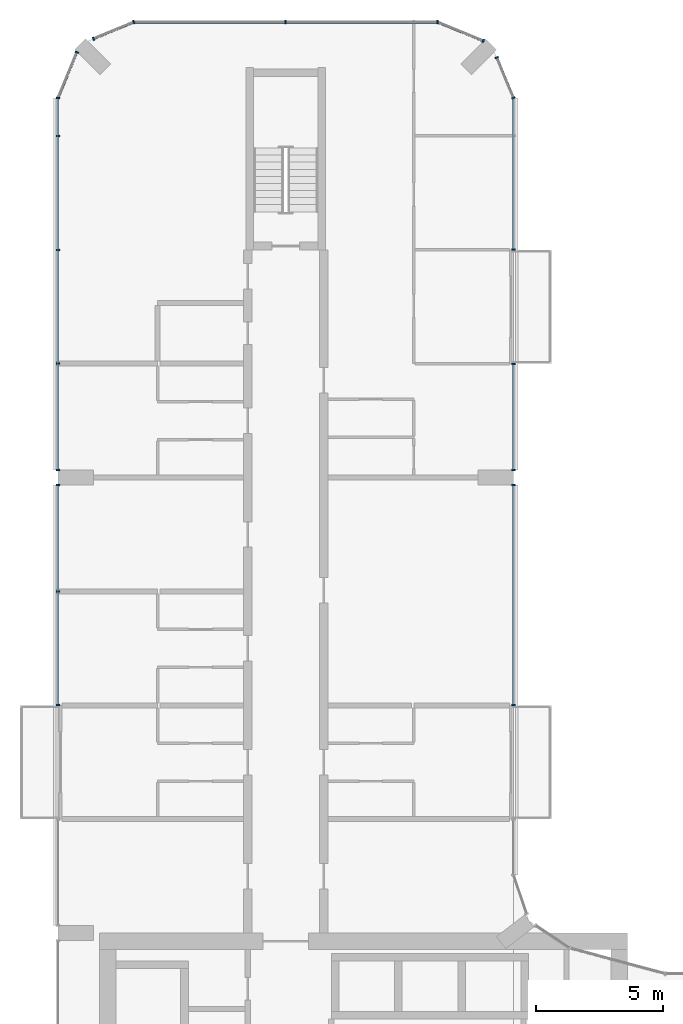
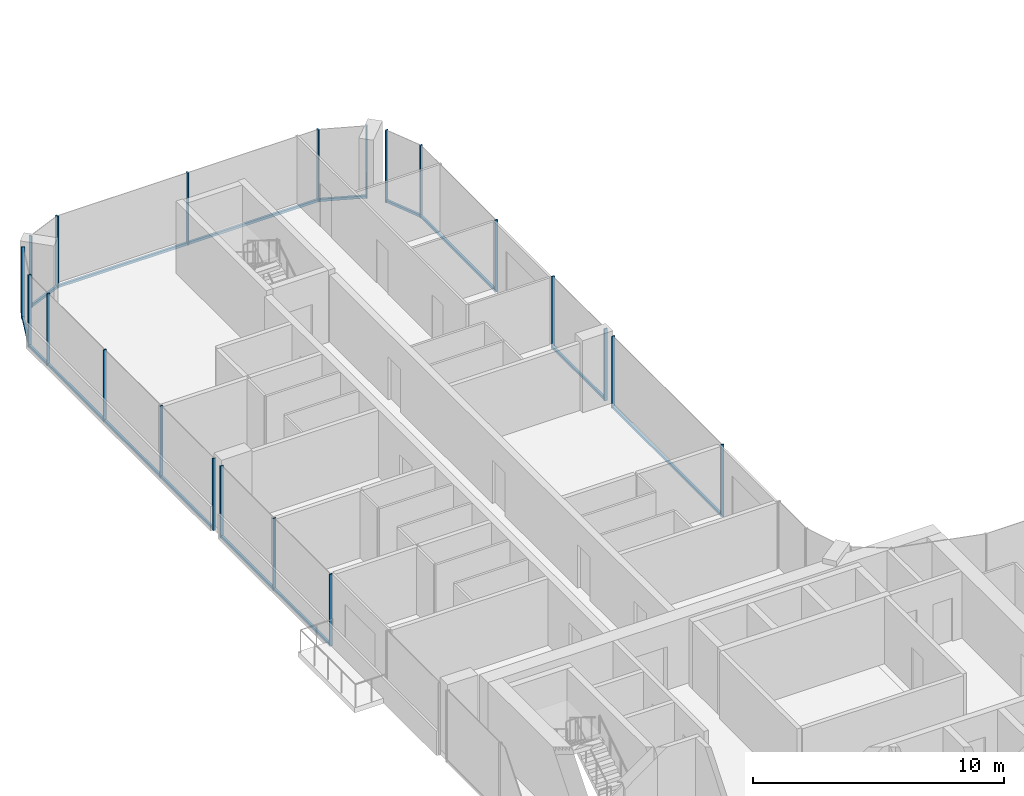
# One storey, part 6 of 22: 31 members, 10 elements without a shape of their own.
"""IFC4 building model written with IfcOpenShell, lengths in metres."""

from ifc_helpers import new_model, si_unit, direction, frame, origin, origin_2d, place, context, subcontext, project, spatial, rectangle, extrude, material, layer, layer_set, material_profile, profile_set, type_object, element, aggregate, save


model = new_model("IFC4")

# Units and contexts
model_context = context("Model", 3, precision=1e-05, world=origin(), true_north=direction((0.0, 1.0)))
body_context = subcontext(model_context, "Body", "Model", "MODEL_VIEW")
ifc_project = project(units=[si_unit("LENGTHUNIT", "METRE"), si_unit("AREAUNIT", "SQUARE_METRE"), si_unit("VOLUMEUNIT", "CUBIC_METRE"), si_unit("PLANEANGLEUNIT", "RADIAN"), si_unit("MASSUNIT", "GRAM", prefix="KILO")], contexts=[model_context])

# Site, building, storey
site_placement = place(None, origin())
site = spatial("IfcSite", under=ifc_project, at=site_placement, CompositionType="ELEMENT")
building_placement = place(site_placement, origin())
building = spatial("IfcBuilding", under=site, at=building_placement, Name="Plateau Cross Towers", CompositionType="ELEMENT")
storey_placement = place(building_placement, frame((0.0, 0.0, 102.800048828125)))
storey = spatial("IfcBuildingStorey", under=building, at=storey_placement, Name="L26", CompositionType="ELEMENT", Elevation=102.800048828125)

# Curtain wall, members
ifc_material_1 = material(Name="Dark low-iron glass", Category="glass")
ifc_layer = layer(ifc_material_1, 0.239990234375)
ifc_layer_set = layer_set([ifc_layer], Name="Dark low-iron glass")
curtain_wall_type = type_object("IfcCurtainWallType", Name="Curtain wall flush unitised CW-B", PredefinedType="NOTDEFINED", material=ifc_layer_set)
curtain_wall_1_placement = place(storey_placement, origin())
curtain_wall_1 = element("IfcCurtainWall", 1, at=curtain_wall_1_placement, inside=storey, type_object=curtain_wall_type, Name="ENV/A/L26/A180_270", PredefinedType="NOTDEFINED")
ifc_material_2 = material(Name="Black anodised aluminium", Category="aluminium")
ifc_material_profile_1 = material_profile(ifc_material_2, rectangle(XDim=0.06005859375, YDim=0.139892578125, at=origin_2d()), Name="MULLION 60x140")
ifc_profile_set_1 = profile_set([ifc_material_profile_1], Name="Black anodised aluminium")
member_type_1 = type_object("IfcMemberType", Name="Mullion 60x140 flush unitised", PredefinedType="MULLION", material=ifc_profile_set_1)
member_1_placement = place(storey_placement, frame((18.0, 27.010009765625, -0.25), z_axis=(0.0, 0.0, 1.0), x_axis=(0.0, 1.0, 0.0)))
member_1 = element("IfcMember", 2, at=member_1_placement, type_object=member_type_1, Name="CW-B mullion 1", PredefinedType="MULLION", context=body_context, shape_type="SweptSolid", body=[
    extrude(rectangle(XDim=0.06005859375, YDim=0.139892578125, at=origin_2d()), origin(), (0.0, 0.0, 1.0), 3.5),
])
member_2_placement = place(storey_placement, frame((18.0, 35.699951171875, -0.25), z_axis=(0.0, 0.0, 1.0), x_axis=(0.0, 1.0, 0.0)))
member_2 = element("IfcMember", 3, at=member_2_placement, type_object=member_type_1, Name="CW-B mullion 2", PredefinedType="MULLION", context=body_context, shape_type="SweptSolid", body=[
    extrude(rectangle(XDim=0.06005859375, YDim=0.139892578125, at=origin_2d()), origin(), (0.0, 0.0, 1.0), 3.5),
])

curtain_wall_2_placement = place(storey_placement, origin())
curtain_wall_2 = element("IfcCurtainWall", 4, at=curtain_wall_2_placement, inside=storey, type_object=curtain_wall_type, Name="ENV/A/L26/A180_363", PredefinedType="NOTDEFINED")
member_3_placement = place(storey_placement, frame((18.0, 36.300048828125, -0.25), z_axis=(0.0, 0.0, 1.0), x_axis=(0.0, 1.0, 0.0)))
member_3 = element("IfcMember", 5, at=member_3_placement, type_object=member_type_1, Name="CW-B mullion 1", PredefinedType="MULLION", context=body_context, shape_type="SweptSolid", body=[
    extrude(rectangle(XDim=0.06005859375, YDim=0.139892578125, at=origin_2d()), origin(), (0.0, 0.0, 1.0), 3.5),
])
member_4_placement = place(storey_placement, frame((18.0, 40.489990234375, -0.25), z_axis=(0.0, 0.0, 1.0), x_axis=(0.0, 1.0, 0.0)))
member_4 = element("IfcMember", 6, at=member_4_placement, type_object=member_type_1, Name="CW-B mullion 2", PredefinedType="MULLION", context=body_context, shape_type="SweptSolid", body=[
    extrude(rectangle(XDim=0.06005859375, YDim=0.139892578125, at=origin_2d()), origin(), (0.0, 0.0, 1.0), 3.5),
])

# Curtain wall, member
curtain_wall_3_placement = place(storey_placement, origin())
curtain_wall_3 = element("IfcCurtainWall", 7, at=curtain_wall_3_placement, inside=storey, type_object=curtain_wall_type, Name="ENV/A/L26/A180_450", PredefinedType="NOTDEFINED")
member_5_placement = place(storey_placement, frame((18.0, 45.010009765625, -0.25), z_axis=(0.0, 0.0, 1.0), x_axis=(0.0, 1.0, 0.0)))
member_5 = element("IfcMember", 8, at=member_5_placement, type_object=member_type_1, Name="CW-B mullion 1", PredefinedType="MULLION", context=body_context, shape_type="SweptSolid", body=[
    extrude(rectangle(XDim=0.06005859375, YDim=0.139892578125, at=origin_2d()), origin(), (0.0, 0.0, 1.0), 3.5),
])

# Curtain wall, members
curtain_wall_4_placement = place(storey_placement, origin())
curtain_wall_4 = element("IfcCurtainWall", 9, at=curtain_wall_4_placement, inside=storey, type_object=curtain_wall_type, Name="ENV/A/L26/A180_510", PredefinedType="NOTDEFINED")
member_6_placement = place(storey_placement, frame((18.0, 51.0, -0.25), z_axis=(0.0, 0.0, 1.0), x_axis=(-0.382683612978, 0.923879457699, 0.0)))
member_6 = element("IfcMember", 10, at=member_6_placement, type_object=member_type_1, Name="CW-B mullion 1", PredefinedType="MULLION", context=body_context, shape_type="SweptSolid", body=[
    extrude(rectangle(XDim=0.06005859375, YDim=0.139892578125, at=origin_2d()), origin(), (0.0, 0.0, 1.0), 3.5),
])
member_7_placement = place(storey_placement, frame((17.338623046875, 52.5966796875, -0.25), z_axis=(0.0, 0.0, 1.0), x_axis=(-0.382683612978, 0.923879457699, 0.0)))
member_7 = element("IfcMember", 11, at=member_7_placement, type_object=member_type_1, Name="CW-B mullion 2", PredefinedType="MULLION", context=body_context, shape_type="SweptSolid", body=[
    extrude(rectangle(XDim=0.06005859375, YDim=0.139892578125, at=origin_2d()), origin(), (0.0, 0.0, 1.0), 3.5),
])

# Curtain wall, member
curtain_wall_5_placement = place(storey_placement, origin())
curtain_wall_5 = element("IfcCurtainWall", 12, at=curtain_wall_5_placement, inside=storey, type_object=curtain_wall_type, Name="ENV/A/L26/A168_533", PredefinedType="NOTDEFINED")
member_8_placement = place(storey_placement, frame((16.805908203125, 53.251953125, -0.25), z_axis=(0.0, 0.0, 1.0), x_axis=(-0.923879457699, 0.382683612978, 0.0)))
member_8 = element("IfcMember", 13, at=member_8_placement, type_object=member_type_1, Name="CW-B mullion 1", PredefinedType="MULLION", context=body_context, shape_type="SweptSolid", body=[
    extrude(rectangle(XDim=0.06005859375, YDim=0.139892578125, at=origin_2d()), origin(), (0.0, 0.0, 1.0), 3.5),
])

# Curtain wall, members
curtain_wall_6_placement = place(storey_placement, origin())
curtain_wall_6 = element("IfcCurtainWall", 14, at=curtain_wall_6_placement, inside=storey, type_object=curtain_wall_type, Name="ENV/A/L26/A150_540", PredefinedType="NOTDEFINED")
member_9_placement = place(storey_placement, frame((15.0, 54.0, -0.25), z_axis=(0.0, 0.0, 1.0), x_axis=(-1.0, 0.0, 0.0)))
member_9 = element("IfcMember", 15, at=member_9_placement, type_object=member_type_1, Name="CW-B mullion 1", PredefinedType="MULLION", context=body_context, shape_type="SweptSolid", body=[
    extrude(rectangle(XDim=0.06005859375, YDim=0.139892578125, at=origin_2d()), origin(), (0.0, 0.0, 1.0), 3.5),
])
member_10_placement = place(storey_placement, frame((9.0, 54.0, -0.25), z_axis=(0.0, 0.0, 1.0), x_axis=(-1.0, 0.0, 0.0)))
member_10 = element("IfcMember", 16, at=member_10_placement, type_object=member_type_1, Name="CW-B mullion 2", PredefinedType="MULLION", context=body_context, shape_type="SweptSolid", body=[
    extrude(rectangle(XDim=0.06005859375, YDim=0.139892578125, at=origin_2d()), origin(), (0.0, 0.0, 1.0), 3.5),
])

curtain_wall_7_placement = place(storey_placement, origin())
curtain_wall_7 = element("IfcCurtainWall", 17, at=curtain_wall_7_placement, inside=storey, type_object=curtain_wall_type, Name="ENV/A/L26/A30_540", PredefinedType="NOTDEFINED")
member_11_placement = place(storey_placement, frame((3.0, 54.0, -0.25), z_axis=(0.0, 0.0, 1.0), x_axis=(-0.923879457699, -0.382683612978, 0.0)))
member_11 = element("IfcMember", 18, at=member_11_placement, type_object=member_type_1, Name="CW-B mullion 1", PredefinedType="MULLION", context=body_context, shape_type="SweptSolid", body=[
    extrude(rectangle(XDim=0.06005859375, YDim=0.139892578125, at=origin_2d()), origin(), (0.0, 0.0, 1.0), 3.5),
])
member_12_placement = place(storey_placement, frame((1.4033203125, 53.338623046875, -0.25), z_axis=(0.0, 0.0, 1.0), x_axis=(-0.923879457699, -0.382683612978, 0.0)))
member_12 = element("IfcMember", 19, at=member_12_placement, type_object=member_type_1, Name="CW-B mullion 2", PredefinedType="MULLION", context=body_context, shape_type="SweptSolid", body=[
    extrude(rectangle(XDim=0.06005859375, YDim=0.139892578125, at=origin_2d()), origin(), (0.0, 0.0, 1.0), 3.5),
])

# Curtain wall, member
curtain_wall_8_placement = place(storey_placement, origin())
curtain_wall_8 = element("IfcCurtainWall", 20, at=curtain_wall_8_placement, inside=storey, type_object=curtain_wall_type, Name="ENV/A/L26/A7_528", PredefinedType="NOTDEFINED")
member_13_placement = place(storey_placement, frame((0.748046875, 52.805908203125, -0.25), z_axis=(0.0, 0.0, 1.0), x_axis=(-0.382683612978, -0.923879457699, 0.0)))
member_13 = element("IfcMember", 21, at=member_13_placement, type_object=member_type_1, Name="CW-B mullion 1", PredefinedType="MULLION", context=body_context, shape_type="SweptSolid", body=[
    extrude(rectangle(XDim=0.06005859375, YDim=0.139892578125, at=origin_2d()), origin(), (0.0, 0.0, 1.0), 3.5),
])

# Curtain wall, members
curtain_wall_9_placement = place(storey_placement, origin())
curtain_wall_9 = element("IfcCurtainWall", 22, at=curtain_wall_9_placement, inside=storey, type_object=curtain_wall_type, Name="ENV/A/L26/A0_510", PredefinedType="NOTDEFINED")
member_14_placement = place(storey_placement, frame((0.0, 51.0, -0.25), z_axis=(0.0, 0.0, 1.0), x_axis=(0.0, -1.0, 0.0)))
member_14 = element("IfcMember", 23, at=member_14_placement, type_object=member_type_1, Name="CW-B mullion 1", PredefinedType="MULLION", context=body_context, shape_type="SweptSolid", body=[
    extrude(rectangle(XDim=0.06005859375, YDim=0.139892578125, at=origin_2d()), origin(), (0.0, 0.0, 1.0), 3.5),
])
member_15_placement = place(storey_placement, frame((0.0, 49.5, -0.25), z_axis=(0.0, 0.0, 1.0), x_axis=(0.0, -1.0, 0.0)))
member_15 = element("IfcMember", 24, at=member_15_placement, type_object=member_type_1, Name="CW-B mullion 2", PredefinedType="MULLION", context=body_context, shape_type="SweptSolid", body=[
    extrude(rectangle(XDim=0.06005859375, YDim=0.139892578125, at=origin_2d()), origin(), (0.0, 0.0, 1.0), 3.5),
])
member_16_placement = place(storey_placement, frame((0.0, 45.0, -0.25), z_axis=(0.0, 0.0, 1.0), x_axis=(0.0, -1.0, 0.0)))
member_16 = element("IfcMember", 25, at=member_16_placement, type_object=member_type_1, Name="CW-B mullion 3", PredefinedType="MULLION", context=body_context, shape_type="SweptSolid", body=[
    extrude(rectangle(XDim=0.06005859375, YDim=0.139892578125, at=origin_2d()), origin(), (0.0, 0.0, 1.0), 3.5),
])
member_17_placement = place(storey_placement, frame((0.0, 40.5, -0.25), z_axis=(0.0, 0.0, 1.0), x_axis=(0.0, -1.0, 0.0)))
member_17 = element("IfcMember", 26, at=member_17_placement, type_object=member_type_1, Name="CW-B mullion 4", PredefinedType="MULLION", context=body_context, shape_type="SweptSolid", body=[
    extrude(rectangle(XDim=0.06005859375, YDim=0.139892578125, at=origin_2d()), origin(), (0.0, 0.0, 1.0), 3.5),
])
member_18_placement = place(storey_placement, frame((0.0, 36.300048828125, -0.25), z_axis=(0.0, 0.0, 1.0), x_axis=(0.0, -1.0, 0.0)))
member_18 = element("IfcMember", 27, at=member_18_placement, type_object=member_type_1, Name="CW-B mullion 5", PredefinedType="MULLION", context=body_context, shape_type="SweptSolid", body=[
    extrude(rectangle(XDim=0.06005859375, YDim=0.139892578125, at=origin_2d()), origin(), (0.0, 0.0, 1.0), 3.5),
])

curtain_wall_10_placement = place(storey_placement, origin())
curtain_wall_10 = element("IfcCurtainWall", 28, at=curtain_wall_10_placement, inside=storey, type_object=curtain_wall_type, Name="ENV/A/L26/A0_357", PredefinedType="NOTDEFINED")
member_19_placement = place(storey_placement, frame((0.0, 35.699951171875, -0.25), z_axis=(0.0, 0.0, 1.0), x_axis=(0.0, -1.0, 0.0)))
member_19 = element("IfcMember", 29, at=member_19_placement, type_object=member_type_1, Name="CW-B mullion 1", PredefinedType="MULLION", context=body_context, shape_type="SweptSolid", body=[
    extrude(rectangle(XDim=0.06005859375, YDim=0.139892578125, at=origin_2d()), origin(), (0.0, 0.0, 1.0), 3.5),
])
member_20_placement = place(storey_placement, frame((0.0, 31.5, -0.25), z_axis=(0.0, 0.0, 1.0), x_axis=(0.0, -1.0, 0.0)))
member_20 = element("IfcMember", 30, at=member_20_placement, type_object=member_type_1, Name="CW-B mullion 2", PredefinedType="MULLION", context=body_context, shape_type="SweptSolid", body=[
    extrude(rectangle(XDim=0.06005859375, YDim=0.139892578125, at=origin_2d()), origin(), (0.0, 0.0, 1.0), 3.5),
])
member_21_placement = place(storey_placement, frame((0.0, 27.010009765625, -0.25), z_axis=(0.0, 0.0, 1.0), x_axis=(0.0, -1.0, 0.0)))
member_21 = element("IfcMember", 31, at=member_21_placement, type_object=member_type_1, Name="CW-B mullion 3", PredefinedType="MULLION", context=body_context, shape_type="SweptSolid", body=[
    extrude(rectangle(XDim=0.06005859375, YDim=0.139892578125, at=origin_2d()), origin(), (0.0, 0.0, 1.0), 3.5),
])

# Member
ifc_material_profile_2 = material_profile(ifc_material_2, rectangle(XDim=0.10009765625, YDim=0.1201171875, at=origin_2d()), Name="TRANSOM 100x120")
ifc_profile_set_2 = profile_set([ifc_material_profile_2], Name="Black anodised aluminium")
member_type_2 = type_object("IfcMemberType", Name="Transom 100x120 flush unitised", PredefinedType="USERDEFINED", material=ifc_profile_set_2)
member_22_placement = place(storey_placement, frame((18.0, 27.010009765625, -0.18994140625), z_axis=(0.0, 1.0, 0.0), x_axis=(-1.0, 0.0, 0.0)))
member_22 = element("IfcMember", 32, at=member_22_placement, type_object=member_type_2, Name="CW-B transom", ObjectType="TRANSOM", PredefinedType="USERDEFINED", context=body_context, shape_type="SweptSolid", body=[
    extrude(rectangle(XDim=0.10009765625, YDim=0.1201171875, at=origin_2d()), origin(), (0.0, 0.0, 1.0), 8.68994140625),
])

aggregate(curtain_wall_1, [member_1, member_2, member_22])

member_23_placement = place(storey_placement, frame((18.0, 36.300048828125, -0.18994140625), z_axis=(0.0, 1.0, 0.0), x_axis=(-1.0, 0.0, 0.0)))
member_23 = element("IfcMember", 33, at=member_23_placement, type_object=member_type_2, Name="CW-B transom", ObjectType="TRANSOM", PredefinedType="USERDEFINED", context=body_context, shape_type="SweptSolid", body=[
    extrude(rectangle(XDim=0.10009765625, YDim=0.1201171875, at=origin_2d()), origin(), (0.0, 0.0, 1.0), 4.18994140625),
])

aggregate(curtain_wall_2, [member_3, member_4, member_23])

member_24_placement = place(storey_placement, frame((18.0, 45.010009765625, -0.18994140625), z_axis=(0.0, 1.0, 0.0), x_axis=(-1.0, 0.0, 0.0)))
member_24 = element("IfcMember", 34, at=member_24_placement, type_object=member_type_2, Name="CW-B transom", ObjectType="TRANSOM", PredefinedType="USERDEFINED", context=body_context, shape_type="SweptSolid", body=[
    extrude(rectangle(XDim=0.10009765625, YDim=0.1201171875, at=origin_2d()), origin(), (0.0, 0.0, 1.0), 5.989990234375),
])

aggregate(curtain_wall_3, [member_5, member_24])

member_25_placement = place(storey_placement, frame((18.0, 51.0, -0.18994140625), z_axis=(-0.382688653628, 0.923877369776, 0.0), x_axis=(-0.923877369776, -0.382688653628, 0.0)))
member_25 = element("IfcMember", 35, at=member_25_placement, type_object=member_type_2, Name="CW-B transom", ObjectType="TRANSOM", PredefinedType="USERDEFINED", context=body_context, shape_type="SweptSolid", body=[
    extrude(rectangle(XDim=0.10009765625, YDim=0.1201171875, at=origin_2d()), origin(), (0.0, 0.0, 1.0), 1.728271484375),
])

aggregate(curtain_wall_4, [member_6, member_7, member_25])

member_26_placement = place(storey_placement, frame((16.805908203125, 53.251953125, -0.18994140625), z_axis=(-0.92387678234, 0.382690071798, 0.0), x_axis=(-0.382690071798, -0.92387678234, 0.0)))
member_26 = element("IfcMember", 36, at=member_26_placement, type_object=member_type_2, Name="CW-B transom", ObjectType="TRANSOM", PredefinedType="USERDEFINED", context=body_context, shape_type="SweptSolid", body=[
    extrude(rectangle(XDim=0.10009765625, YDim=0.1201171875, at=origin_2d()), origin(), (0.0, 0.0, 1.0), 1.95458984375),
])

aggregate(curtain_wall_5, [member_8, member_26])

member_27_placement = place(storey_placement, frame((15.0, 54.0, -0.18994140625), z_axis=(-1.0, 0.0, 0.0), x_axis=(0.0, -1.0, 0.0)))
member_27 = element("IfcMember", 37, at=member_27_placement, type_object=member_type_2, Name="CW-B transom", ObjectType="TRANSOM", PredefinedType="USERDEFINED", context=body_context, shape_type="SweptSolid", body=[
    extrude(rectangle(XDim=0.10009765625, YDim=0.1201171875, at=origin_2d()), origin(), (0.0, 0.0, 1.0), 12.0),
])

aggregate(curtain_wall_6, [member_9, member_10, member_27])

member_28_placement = place(storey_placement, frame((3.0, 54.0, -0.18994140625), z_axis=(-0.923877369776, -0.382688653628, 0.0), x_axis=(0.382688653628, -0.923877369776, 0.0)))
member_28 = element("IfcMember", 38, at=member_28_placement, type_object=member_type_2, Name="CW-B transom", ObjectType="TRANSOM", PredefinedType="USERDEFINED", context=body_context, shape_type="SweptSolid", body=[
    extrude(rectangle(XDim=0.10009765625, YDim=0.1201171875, at=origin_2d()), origin(), (0.0, 0.0, 1.0), 1.728271484375),
])

aggregate(curtain_wall_7, [member_11, member_12, member_28])

member_29_placement = place(storey_placement, frame((0.748046875, 52.805908203125, -0.18994140625), z_axis=(-0.382690071798, -0.92387678234, 0.0), x_axis=(0.92387678234, -0.382690071798, 0.0)))
member_29 = element("IfcMember", 39, at=member_29_placement, type_object=member_type_2, Name="CW-B transom", ObjectType="TRANSOM", PredefinedType="USERDEFINED", context=body_context, shape_type="SweptSolid", body=[
    extrude(rectangle(XDim=0.10009765625, YDim=0.1201171875, at=origin_2d()), origin(), (0.0, 0.0, 1.0), 1.95458984375),
])

aggregate(curtain_wall_8, [member_13, member_29])

member_30_placement = place(storey_placement, frame((0.0, 51.0, -0.18994140625), z_axis=(0.0, -1.0, 0.0), x_axis=(1.0, 0.0, 0.0)))
member_30 = element("IfcMember", 40, at=member_30_placement, type_object=member_type_2, Name="CW-B transom", ObjectType="TRANSOM", PredefinedType="USERDEFINED", context=body_context, shape_type="SweptSolid", body=[
    extrude(rectangle(XDim=0.10009765625, YDim=0.1201171875, at=origin_2d()), origin(), (0.0, 0.0, 1.0), 14.699951171875),
])

aggregate(curtain_wall_9, [member_14, member_15, member_16, member_17, member_18, member_30])

member_31_placement = place(storey_placement, frame((0.0, 35.699951171875, -0.18994140625), z_axis=(0.0, -1.0, 0.0), x_axis=(1.0, 0.0, 0.0)))
member_31 = element("IfcMember", 41, at=member_31_placement, type_object=member_type_2, Name="CW-B transom", ObjectType="TRANSOM", PredefinedType="USERDEFINED", context=body_context, shape_type="SweptSolid", body=[
    extrude(rectangle(XDim=0.10009765625, YDim=0.1201171875, at=origin_2d()), origin(), (0.0, 0.0, 1.0), 8.68994140625),
])

aggregate(curtain_wall_10, [member_19, member_20, member_21, member_31])

save(model, "model.ifc")
